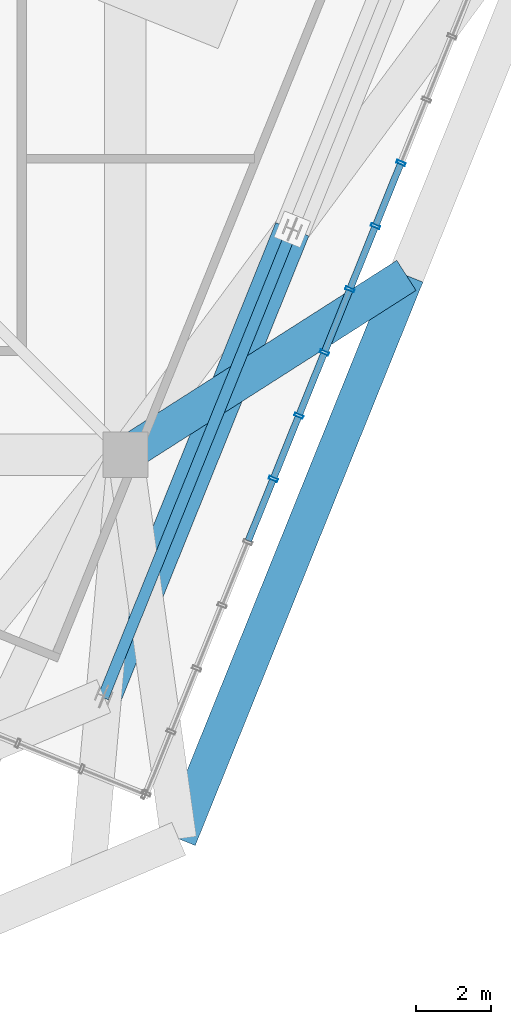
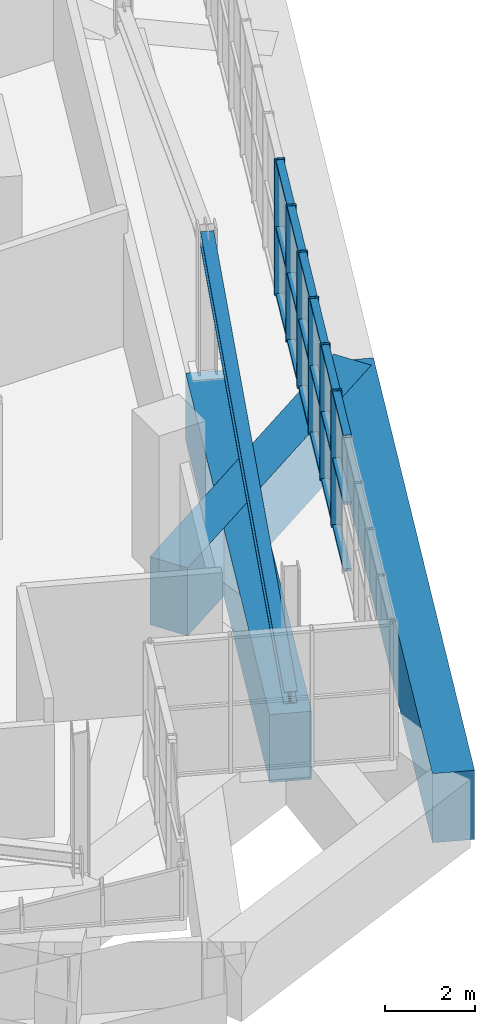
# One storey, part 14 of 35: 25 members, 3 beams, 1 element without a shape of its own.
"""IFC4 building model written with IfcOpenShell, lengths in metres."""

import ifcopenshell
import ifcopenshell.guid

model = None  # the IFC model being written
_history = None  # IfcOwnerHistory: only IFC2X3 demands one
_inside = {}  # id of a spatial element -> (the spatial element, [elements in it])
_under = {}  # id of a project, library or spatial element -> (it, [spatial elements below it])
_declared = {}  # id of a project -> (the project, [libraries it declares])
_typed = {}  # id of a type object -> (the type object, [elements of that type])
_made_of = {}  # id of a material, layer set ... -> (it, [elements and type objects made of it])


def new_model(schema):
    """Start an empty IFC model of exactly this schema.

    Asked for "IFC4X3", IfcOpenShell would pick the latest addendum, in which some entities
    have other attributes; the version numbers below select the first issue.
    IFC2X3 requires an IfcOwnerHistory on every rooted entity: one is made here for all.
    """
    global model, _history
    if schema == "IFC4X3":
        model = ifcopenshell.file(schema_version=(4, 3, 0, 0))
    else:
        model = ifcopenshell.file(schema=schema)
    _inside.clear()
    _under.clear()
    _declared.clear()
    _typed.clear()
    _made_of.clear()
    _history = None
    if model.schema == "IFC2X3":
        org = make("IfcOrganization", Name="unknown")
        user = make(
            "IfcPersonAndOrganization",
            ThePerson=make("IfcPerson", FamilyName="unknown"),
            TheOrganization=org,
        )
        app = make(
            "IfcApplication",
            ApplicationDeveloper=org,
            Version="unknown",
            ApplicationFullName="unknown",
            ApplicationIdentifier="unknown",
        )
        _history = make(
            "IfcOwnerHistory",
            OwningUser=user,
            OwningApplication=app,
            ChangeAction="ADDED",
            CreationDate=0,
        )
    return model


def make(cls, **values):
    """One entity of the class cls with the attributes given. An attribute that is None is left unset."""
    return model.create_entity(
        cls, **{name: value for name, value in values.items() if value is not None}
    )


def rooted(cls, **values):
    """An entity with a GlobalId (a new one), such as an element, a storey or a relation."""
    return make(cls, GlobalId=ifcopenshell.guid.new(), OwnerHistory=_history, **values)


def si_unit(unit_type, name, prefix=None):
    """IfcSIUnit, for example si_unit("LENGTHUNIT", "METRE", prefix="MILLI")."""
    return make("IfcSIUnit", UnitType=unit_type, Prefix=prefix, Name=name)


def assignment(units):
    """IfcUnitAssignment: the units of a project."""
    return None if units is None else make("IfcUnitAssignment", Units=units)


def point(xyz):
    """IfcCartesianPoint."""
    return None if xyz is None else make("IfcCartesianPoint", Coordinates=xyz)


def direction(xyz):
    """IfcDirection."""
    return None if xyz is None else make("IfcDirection", DirectionRatios=xyz)


def frame(location, z_axis=None, x_axis=None):
    """IfcAxis2Placement3D, a coordinate frame: its origin and axes. An axis left out is left unset."""
    return make(
        "IfcAxis2Placement3D",
        Location=point(location),
        Axis=direction(z_axis),
        RefDirection=direction(x_axis),
    )


def frame_2d(location, x_axis=None):
    """IfcAxis2Placement2D, a coordinate frame in the plane: its origin and x axis."""
    return make(
        "IfcAxis2Placement2D", Location=point(location), RefDirection=direction(x_axis)
    )


def origin():
    """The frame at (0, 0, 0) with its axes left unset."""
    return frame((0.0, 0.0, 0.0))


def origin_2d():
    """The frame at (0, 0) in the plane with its x axis left unset."""
    return frame_2d((0.0, 0.0))


def place(relative_to, where):
    """IfcLocalPlacement: puts the frame where relative to a parent placement (None: the world)."""
    return make(
        "IfcLocalPlacement", PlacementRelTo=relative_to, RelativePlacement=where
    )


def context(
    kind, dimensions, precision=None, world=None, true_north=None, identifier=None
):
    """IfcGeometricRepresentationContext, for example the 3D "Model" context."""
    return make(
        "IfcGeometricRepresentationContext",
        ContextIdentifier=identifier,
        ContextType=kind,
        CoordinateSpaceDimension=dimensions,
        Precision=precision,
        WorldCoordinateSystem=world,
        TrueNorth=true_north,
    )


def subcontext(parent, identifier, kind, view, scale=None):
    """IfcGeometricRepresentationSubContext, for example "Body" below "Model"."""
    return make(
        "IfcGeometricRepresentationSubContext",
        ContextIdentifier=identifier,
        ContextType=kind,
        ParentContext=parent,
        TargetScale=scale,
        TargetView=view,
    )


def project(units=None, contexts=None):
    """IfcProject with its units and contexts."""
    return rooted(
        "IfcProject",
        Name="project",
        RepresentationContexts=contexts,
        UnitsInContext=assignment(units),
    )


def spatial(cls, under=None, at=None, **own):
    """A site, building, storey or space (cls), placed at a placement, below another one or the project."""
    s = rooted(cls, ObjectPlacement=at, **own)
    if under is not None:
        _under.setdefault(under.id(), (under, []))[1].append(s)
    return s


def profile(cls, at=None, kind="AREA", **sizes):
    """A parametric profile (cls). Its sizes go by their IFC names, for example OverallWidth=200.0."""
    return make(cls, ProfileType=kind, Position=at, **sizes)


def rectangle(**sizes):
    """IfcRectangleProfileDef."""
    return profile("IfcRectangleProfileDef", **sizes)


def hollow_rectangle(**sizes):
    """IfcRectangleHollowProfileDef."""
    return profile("IfcRectangleHollowProfileDef", **sizes)


def i_section(**sizes):
    """IfcIShapeProfileDef."""
    return profile("IfcIShapeProfileDef", **sizes)


def extrude(swept, where, along, depth):
    """IfcExtrudedAreaSolid: the profile swept, set in the frame where, extruded along a direction by depth."""
    return make(
        "IfcExtrudedAreaSolid",
        SweptArea=swept,
        Position=where,
        ExtrudedDirection=direction(along),
        Depth=depth,
    )


def shape(context_of_items, identifier, shape_type, items):
    """IfcShapeRepresentation: the items that make up one representation, for example the "Body"."""
    return make(
        "IfcShapeRepresentation",
        ContextOfItems=context_of_items,
        RepresentationIdentifier=identifier,
        RepresentationType=shape_type,
        Items=items,
    )


def source(mapping_origin, context_of_items, identifier, shape_type, items):
    """IfcRepresentationMap: a shape defined once, which mapped items show again and again."""
    return make(
        "IfcRepresentationMap",
        MappingOrigin=mapping_origin,
        MappedRepresentation=shape(context_of_items, identifier, shape_type, items),
    )


def transform(
    local_origin,
    x_axis=None,
    y_axis=None,
    z_axis=None,
    scale=None,
    scale2=None,
    scale3=None,
    uniform=True,
):
    """IfcCartesianTransformationOperator3D, or its non-uniform kind. x_axis, y_axis, z_axis: its Axis1, 2, 3."""
    if uniform:
        return make(
            "IfcCartesianTransformationOperator3D",
            Axis1=direction(x_axis),
            Axis2=direction(y_axis),
            LocalOrigin=point(local_origin),
            Scale=scale,
            Axis3=direction(z_axis),
        )
    return make(
        "IfcCartesianTransformationOperator3DnonUniform",
        Axis1=direction(x_axis),
        Axis2=direction(y_axis),
        LocalOrigin=point(local_origin),
        Scale=scale,
        Axis3=direction(z_axis),
        Scale2=scale2,
        Scale3=scale3,
    )


def mapped(mapping_source, mapping_target):
    """IfcMappedItem: shows the shape of a source again, moved by a transform."""
    return make(
        "IfcMappedItem", MappingSource=mapping_source, MappingTarget=mapping_target
    )


def material(Name=None, Category=None):
    """IfcMaterial."""
    return make("IfcMaterial", Name=Name, Category=Category)


def layer(
    of_material, thickness, ventilated=None, Name=None, Category=None, Priority=None
):
    """IfcMaterialLayer: one layer of a wall or slab, of a material (None: an air gap)."""
    return make(
        "IfcMaterialLayer",
        Material=of_material,
        LayerThickness=thickness,
        IsVentilated=ventilated,
        Name=Name,
        Category=Category,
        Priority=Priority,
    )


def layer_set(layers, Name=None):
    """IfcMaterialLayerSet."""
    return make("IfcMaterialLayerSet", MaterialLayers=layers, LayerSetName=Name)


def material_profile(
    of_material, cross_section, Name=None, Category=None, Priority=None
):
    """IfcMaterialProfile: a cross section and its material."""
    return make(
        "IfcMaterialProfile",
        Name=Name,
        Material=of_material,
        Profile=cross_section,
        Priority=Priority,
        Category=Category,
    )


def profile_set(profiles, Name=None, composite=None):
    """IfcMaterialProfileSet."""
    return make(
        "IfcMaterialProfileSet",
        Name=Name,
        MaterialProfiles=profiles,
        CompositeProfile=composite,
    )


def made_of(thing, what):
    """Note that an element or type object is made of a material, layer set ...; save() writes the relation."""
    if what is not None:
        _made_of.setdefault(what.id(), (what, []))[1].append(thing)
    return thing


def type_object(cls, material=None, **own):
    """A type object (cls), such as IfcWallType, which elements share."""
    return made_of(rooted(cls, **own), material)


def element(
    cls,
    number,
    at=None,
    inside=None,
    cuts=None,
    type_object=None,
    material=None,
    context=None,
    identifier="Body",
    shape_type=None,
    held_by="IfcProductDefinitionShape",
    body=None,
    shapes=None,
    **own,
):
    """One element of the class cls, such as IfcWall. Its Tag is "e" and its number.

    at: its placement. inside: the storey or other place that contains it. cuts: it is an
    opening in that element (IfcRelVoidsElement). A single representation is given by context,
    identifier, shape_type and body (its items); several are given by shapes. held_by: the class
    of the entity that holds the representations. save() writes the other relations.
    """
    e = rooted(cls, Tag="e%d" % number, ObjectPlacement=at, **own)
    if body is not None:
        shapes = [shape(context, identifier, shape_type, body)]
    if shapes is not None:
        e.Representation = make(held_by, Representations=shapes)
    if inside is not None:
        _inside.setdefault(inside.id(), (inside, []))[1].append(e)
    if cuts is not None:
        rooted(
            "IfcRelVoidsElement", RelatingBuildingElement=cuts, RelatedOpeningElement=e
        )
    if type_object is not None:
        _typed.setdefault(type_object.id(), (type_object, []))[1].append(e)
    return made_of(e, material)


def aggregate(whole, parts):
    """IfcRelAggregates: a whole, such as a stair, and the parts it consists of."""
    return rooted("IfcRelAggregates", RelatingObject=whole, RelatedObjects=parts)


def save(model, path):
    """Write the relations noted so far, then the file.

    IfcRelAggregates (storeys below a building ...), IfcRelContainedInSpatialStructure (elements
    in a storey), IfcRelDefinesByType, IfcRelAssociatesMaterial and IfcRelDeclares: one each for
    every whole, place, type object, material and project.
    """
    for whole, parts in _under.values():
        aggregate(whole, parts)
    for where, things in _inside.values():
        rooted(
            "IfcRelContainedInSpatialStructure",
            RelatedElements=things,
            RelatingStructure=where,
        )
    for kind, things in _typed.values():
        rooted("IfcRelDefinesByType", RelatedObjects=things, RelatingType=kind)
    for what, things in _made_of.values():
        rooted("IfcRelAssociatesMaterial", RelatedObjects=things, RelatingMaterial=what)
    for by, libraries in _declared.values():
        rooted("IfcRelDeclares", RelatingContext=by, RelatedDefinitions=libraries)
    model.write(path)


model = new_model("IFC4")

# Units and contexts
model_context = context("Model", 3, precision=1e-05, world=origin(), true_north=direction((0.0, 1.0)))
body_context = subcontext(model_context, "Body", "Model", "MODEL_VIEW")
ifc_project = project(units=[si_unit("LENGTHUNIT", "METRE"), si_unit("AREAUNIT", "SQUARE_METRE"), si_unit("VOLUMEUNIT", "CUBIC_METRE"), si_unit("PLANEANGLEUNIT", "RADIAN"), si_unit("MASSUNIT", "GRAM", prefix="KILO"), si_unit("THERMODYNAMICTEMPERATUREUNIT", "KELVIN")], contexts=[model_context])

# Site, building, storey
site_placement = place(None, origin())
site = spatial("IfcSite", under=ifc_project, at=site_placement, CompositionType="ELEMENT")
building_placement = place(site_placement, origin())
building = spatial("IfcBuilding", under=site, at=building_placement, Name="Kosmvard Interchange Tower", CompositionType="ELEMENT")
storey_placement = place(building_placement, frame((0.0, 0.0, 321.60009765625)))
storey = spatial("IfcBuildingStorey", under=building, at=storey_placement, Name="L79", CompositionType="ELEMENT", Elevation=321.60009765625)

# Beams
ifc_material_1 = material(Name="Concrete C60/75", Category="concrete")
ifc_material_profile_1 = material_profile(ifc_material_1, rectangle(XDim=0.949951171875, YDim=1.8798828125, at=origin_2d()), Name="TG 950x1880")
ifc_profile_set_1 = profile_set([ifc_material_profile_1], Name="Concrete C60/75")
beam_type_1 = type_object("IfcBeamType", Name="Upper Long-Span Transfer Girder 950x1880 C60/75", PredefinedType="USERDEFINED", material=ifc_profile_set_1)
shared_shape_1 = source(origin(), body_context, "Body", "SweptSolid", [
    extrude(rectangle(XDim=0.949951171875, YDim=1.8798828125, at=origin_2d()), origin(), (0.0, 0.0, 1.0), 16.175048828125),
])
beam_1_placement = place(storey_placement, frame((14.5009765625, -23.30419921875, -0.940185546875), z_axis=(0.374607540279, 0.927183472009, 0.0), x_axis=(-0.927183472009, 0.374607540279, 0.0)))
element("IfcBeam", 1, at=beam_1_placement, inside=storey, type_object=beam_type_1, Name="BM-L79-LR01", ObjectType="TRANSFER_GIRDER", PredefinedType="USERDEFINED", context=body_context, shape_type="MappedRepresentation", body=[
    mapped(shared_shape_1, transform((0.0, 0.0, 0.0), scale=1.0)),
])
ifc_material_profile_2 = material_profile(ifc_material_1, rectangle(XDim=0.949951171875, YDim=1.85009765625, at=origin_2d()), Name="TG 950x1850")
ifc_profile_set_2 = profile_set([ifc_material_profile_2], Name="Concrete C60/75")
beam_type_2 = type_object("IfcBeamType", Name="Upper Transfer Ring Girder 950x1850 C60/75", PredefinedType="USERDEFINED", material=ifc_profile_set_2)
shared_shape_2 = source(origin(), body_context, "Body", "SweptSolid", [
    extrude(rectangle(XDim=0.949951171875, YDim=1.85009765625, at=origin_2d()), origin(), (0.0, 0.0, 1.0), 8.873046875),
])
beam_2_placement = place(storey_placement, frame((13.0810546875, -13.0810546875, -0.925048828125), z_axis=(0.842912916934, 0.538050011119, 0.0), x_axis=(-0.538050011119, 0.842912916934, 0.0)))
element("IfcBeam", 2, at=beam_2_placement, inside=storey, type_object=beam_type_2, Name="BM-L79-LD02", ObjectType="TRANSFER_GIRDER", PredefinedType="USERDEFINED", context=body_context, shape_type="MappedRepresentation", body=[
    mapped(shared_shape_2, transform((0.0, 0.0, 0.0), scale=1.0)),
])
shared_shape_3 = source(origin(), body_context, "Body", "SweptSolid", [
    extrude(rectangle(XDim=0.949951171875, YDim=1.85009765625, at=origin_2d()), origin(), (0.0, 0.0, 1.0), 13.39990234375),
])
beam_3_placement = place(storey_placement, frame((12.504150390625, -19.50439453125, -0.925048828125), z_axis=(0.374592580972, 0.927189515839, 0.0), x_axis=(-0.927189515839, 0.374592580972, 0.0)))
element("IfcBeam", 3, at=beam_3_placement, inside=storey, type_object=beam_type_2, Name="BM-L79-PR01", ObjectType="TRANSFER_GIRDER", PredefinedType="USERDEFINED", context=body_context, shape_type="MappedRepresentation", body=[
    mapped(shared_shape_3, transform((0.0, 0.0, 0.0), scale=1.0)),
])

# Member
ifc_material_2 = material(Name="Steel S355", Category="steel")
ifc_material_profile_3 = material_profile(ifc_material_2, i_section(OverallWidth=0.300048828125, OverallDepth=0.39990234375, WebThickness=0.013427734375, FlangeThickness=0.02392578125, FilletRadius=0.027099609375, at=origin_2d()), Name="HEB 400")
ifc_profile_set_3 = profile_set([ifc_material_profile_3], Name="Steel S355")
member_type_1 = type_object("IfcMemberType", Name="Lantern Crown Diagrid Brace HEB 400 S355", PredefinedType="BRACE", material=ifc_profile_set_3)
shared_shape_4 = source(origin(), body_context, "Body", "SweptSolid", [
    extrude(i_section(OverallWidth=0.300048828125, OverallDepth=0.39990234375, WebThickness=0.013427734375, FlangeThickness=0.02392578125, FilletRadius=0.027099609375, at=origin_2d()), origin(), (0.0, 0.0, 1.0), 13.78369140625),
])
member_1_placement = place(storey_placement, frame((12.504150390625, -19.50439453125, 0.419921875), z_axis=(0.364162635972, 0.901373372792, 0.234332279859), x_axis=(-0.927189515839, 0.374592580972, 0.0)))
element("IfcMember", 4, at=member_1_placement, inside=storey, type_object=member_type_1, Name="L79 Crown Lantern Diagrid Brace S1", PredefinedType="BRACE", context=body_context, shape_type="MappedRepresentation", body=[
    mapped(shared_shape_4, transform((0.0, 0.0, 0.0), scale=1.0)),
])

# Curtain wall, members
ifc_material_3 = material(Name="Architectural anodised aluminium", Category="aluminium")
ifc_layer = layer(ifc_material_3, 0.25, Name="Architectural anodised aluminium")
ifc_layer_set = layer_set([ifc_layer], Name="Architectural anodised aluminium")
curtain_wall_type = type_object("IfcCurtainWallType", Name="CW-6 Illuminated Crown Lantern Curtain Wall", PredefinedType="NOTDEFINED", material=ifc_layer_set)
curtain_wall_placement = place(storey_placement, origin())
curtain_wall = element("IfcCurtainWall", 5, at=curtain_wall_placement, inside=storey, type_object=curtain_wall_type, Name="L79 Crown Lantern Glazing Face 01", PredefinedType="NOTDEFINED")
ifc_material_profile_4 = material_profile(ifc_material_3, hollow_rectangle(XDim=0.239990234375, YDim=0.080078125, WallThickness=0.006103515625, at=origin_2d()), Name="CWM 240x80x6")
ifc_profile_set_4 = profile_set([ifc_material_profile_4], Name="Architectural anodised aluminium")
member_type_2 = type_object("IfcMemberType", Name="Lantern & Observation CW Mullion 240x80 Aluminium", PredefinedType="MULLION", material=ifc_profile_set_4)
shared_shape_5 = source(origin(), body_context, "Body", "SweptSolid", [
    extrude(hollow_rectangle(XDim=0.239990234375, YDim=0.080078125, WallThickness=0.006103515625, at=origin_2d()), origin(), (0.0, 0.0, 1.0), 3.699951171875),
])
member_2_placement = place(storey_placement, frame((17.01806640625, -13.723876953125, 0.0), z_axis=(0.0, 0.0, 1.0), x_axis=(-0.927183858065, 0.374606584758, 0.0)))
member_2 = element("IfcMember", 6, at=member_2_placement, type_object=member_type_2, Name="CW-6 mullion 6", PredefinedType="MULLION", context=body_context, shape_type="MappedRepresentation", body=[
    mapped(shared_shape_5, transform((0.0, 0.0, 0.0), scale=1.0)),
])
member_3_placement = place(storey_placement, frame((17.69775390625, -12.041748046875, 0.0), z_axis=(0.0, 0.0, 1.0), x_axis=(-0.927183858065, 0.374606584758, 0.0)))
member_3 = element("IfcMember", 7, at=member_3_placement, type_object=member_type_2, Name="CW-6 mullion 7", PredefinedType="MULLION", context=body_context, shape_type="MappedRepresentation", body=[
    mapped(shared_shape_5, transform((0.0, 0.0, 0.0), scale=1.0)),
])
member_4_placement = place(storey_placement, frame((18.377197265625, -10.35986328125, 0.0), z_axis=(0.0, 0.0, 1.0), x_axis=(-0.927183858065, 0.374606584758, 0.0)))
member_4 = element("IfcMember", 8, at=member_4_placement, type_object=member_type_2, Name="CW-6 mullion 8", PredefinedType="MULLION", context=body_context, shape_type="MappedRepresentation", body=[
    mapped(shared_shape_5, transform((0.0, 0.0, 0.0), scale=1.0)),
])
member_5_placement = place(storey_placement, frame((19.056884765625, -8.677734375, 0.0), z_axis=(0.0, 0.0, 1.0), x_axis=(-0.927183858065, 0.374606584758, 0.0)))
member_5 = element("IfcMember", 9, at=member_5_placement, type_object=member_type_2, Name="CW-6 mullion 9", PredefinedType="MULLION", context=body_context, shape_type="MappedRepresentation", body=[
    mapped(shared_shape_5, transform((0.0, 0.0, 0.0), scale=1.0)),
])
member_6_placement = place(storey_placement, frame((19.736572265625, -6.995849609375, 0.0), z_axis=(0.0, 0.0, 1.0), x_axis=(-0.927183858065, 0.374606584758, 0.0)))
member_6 = element("IfcMember", 10, at=member_6_placement, type_object=member_type_2, Name="CW-6 mullion 10", PredefinedType="MULLION", context=body_context, shape_type="MappedRepresentation", body=[
    mapped(shared_shape_5, transform((0.0, 0.0, 0.0), scale=1.0)),
])
member_7_placement = place(storey_placement, frame((20.416015625, -5.313720703125, 0.0), z_axis=(0.0, 0.0, 1.0), x_axis=(-0.927183858065, 0.374606584758, 0.0)))
member_7 = element("IfcMember", 11, at=member_7_placement, type_object=member_type_2, Name="CW-6 mullion 11", PredefinedType="MULLION", context=body_context, shape_type="MappedRepresentation", body=[
    mapped(shared_shape_5, transform((0.0, 0.0, 0.0), scale=1.0)),
])
ifc_material_profile_5 = material_profile(ifc_material_3, hollow_rectangle(XDim=0.179931640625, YDim=0.070068359375, WallThickness=0.0048828125, at=origin_2d()), Name="CWT 180x70x5")
ifc_profile_set_5 = profile_set([ifc_material_profile_5], Name="Architectural anodised aluminium")
member_type_3 = type_object("IfcMemberType", Name="Heavy Lantern CW Transom 180x70 Aluminium", PredefinedType="USERDEFINED", material=ifc_profile_set_5)
shared_shape_6 = source(origin(), body_context, "Body", "SweptSolid", [
    extrude(hollow_rectangle(XDim=0.179931640625, YDim=0.070068359375, WallThickness=0.0048828125, at=origin_2d()), origin(), (0.0, 0.0, 1.0), 1.734130859375),
])
member_8_placement = place(storey_placement, frame((16.353515625, -15.368896484375, 0.034912109375), z_axis=(0.374616671924, 0.927179782522, 0.0), x_axis=(-0.927179782522, 0.374616671924, 0.0)))
member_8 = element("IfcMember", 12, at=member_8_placement, type_object=member_type_3, Name="CW-6 transom 5.1", ObjectType="TRANSOM", PredefinedType="USERDEFINED", context=body_context, shape_type="MappedRepresentation", body=[
    mapped(shared_shape_6, transform((0.0, 0.0, 0.0), scale=1.0)),
])
member_9_placement = place(storey_placement, frame((16.353515625, -15.368896484375, 1.849853515625), z_axis=(0.374616671924, 0.927179782522, 0.0), x_axis=(-0.927179782522, 0.374616671924, 0.0)))
member_9 = element("IfcMember", 13, at=member_9_placement, type_object=member_type_3, Name="CW-6 transom 5.2", ObjectType="TRANSOM", PredefinedType="USERDEFINED", context=body_context, shape_type="MappedRepresentation", body=[
    mapped(shared_shape_6, transform((0.0, 0.0, 0.0), scale=1.0)),
])
member_10_placement = place(storey_placement, frame((16.353515625, -15.368896484375, 3.664794921875), z_axis=(0.374616671924, 0.927179782522, 0.0), x_axis=(-0.927179782522, 0.374616671924, 0.0)))
member_10 = element("IfcMember", 14, at=member_10_placement, type_object=member_type_3, Name="CW-6 transom 5.3", ObjectType="TRANSOM", PredefinedType="USERDEFINED", context=body_context, shape_type="MappedRepresentation", body=[
    mapped(shared_shape_6, transform((0.0, 0.0, 0.0), scale=1.0)),
])
member_11_placement = place(storey_placement, frame((17.033203125, -13.686767578125, 0.034912109375), z_axis=(0.374616671924, 0.927179782522, 0.0), x_axis=(-0.927179782522, 0.374616671924, 0.0)))
member_11 = element("IfcMember", 15, at=member_11_placement, type_object=member_type_3, Name="CW-6 transom 6.1", ObjectType="TRANSOM", PredefinedType="USERDEFINED", context=body_context, shape_type="MappedRepresentation", body=[
    mapped(shared_shape_6, transform((0.0, 0.0, 0.0), scale=1.0)),
])
member_12_placement = place(storey_placement, frame((17.033203125, -13.686767578125, 1.849853515625), z_axis=(0.374616671924, 0.927179782522, 0.0), x_axis=(-0.927179782522, 0.374616671924, 0.0)))
member_12 = element("IfcMember", 16, at=member_12_placement, type_object=member_type_3, Name="CW-6 transom 6.2", ObjectType="TRANSOM", PredefinedType="USERDEFINED", context=body_context, shape_type="MappedRepresentation", body=[
    mapped(shared_shape_6, transform((0.0, 0.0, 0.0), scale=1.0)),
])
member_13_placement = place(storey_placement, frame((17.033203125, -13.686767578125, 3.664794921875), z_axis=(0.374616671924, 0.927179782522, 0.0), x_axis=(-0.927179782522, 0.374616671924, 0.0)))
member_13 = element("IfcMember", 17, at=member_13_placement, type_object=member_type_3, Name="CW-6 transom 6.3", ObjectType="TRANSOM", PredefinedType="USERDEFINED", context=body_context, shape_type="MappedRepresentation", body=[
    mapped(shared_shape_6, transform((0.0, 0.0, 0.0), scale=1.0)),
])
member_14_placement = place(storey_placement, frame((18.392333984375, -10.32275390625, 0.034912109375), z_axis=(0.374616671924, 0.927179782522, 0.0), x_axis=(-0.927179782522, 0.374616671924, 0.0)))
member_14 = element("IfcMember", 18, at=member_14_placement, type_object=member_type_3, Name="CW-6 transom 8.1", ObjectType="TRANSOM", PredefinedType="USERDEFINED", context=body_context, shape_type="MappedRepresentation", body=[
    mapped(shared_shape_6, transform((0.0, 0.0, 0.0), scale=1.0)),
])
member_15_placement = place(storey_placement, frame((18.392333984375, -10.32275390625, 1.849853515625), z_axis=(0.374616671924, 0.927179782522, 0.0), x_axis=(-0.927179782522, 0.374616671924, 0.0)))
member_15 = element("IfcMember", 19, at=member_15_placement, type_object=member_type_3, Name="CW-6 transom 8.2", ObjectType="TRANSOM", PredefinedType="USERDEFINED", context=body_context, shape_type="MappedRepresentation", body=[
    mapped(shared_shape_6, transform((0.0, 0.0, 0.0), scale=1.0)),
])
member_16_placement = place(storey_placement, frame((18.392333984375, -10.32275390625, 3.664794921875), z_axis=(0.374616671924, 0.927179782522, 0.0), x_axis=(-0.927179782522, 0.374616671924, 0.0)))
member_16 = element("IfcMember", 20, at=member_16_placement, type_object=member_type_3, Name="CW-6 transom 8.3", ObjectType="TRANSOM", PredefinedType="USERDEFINED", context=body_context, shape_type="MappedRepresentation", body=[
    mapped(shared_shape_6, transform((0.0, 0.0, 0.0), scale=1.0)),
])
member_17_placement = place(storey_placement, frame((19.75146484375, -6.958740234375, 0.034912109375), z_axis=(0.374616671924, 0.927179782522, 0.0), x_axis=(-0.927179782522, 0.374616671924, 0.0)))
member_17 = element("IfcMember", 21, at=member_17_placement, type_object=member_type_3, Name="CW-6 transom 10.1", ObjectType="TRANSOM", PredefinedType="USERDEFINED", context=body_context, shape_type="MappedRepresentation", body=[
    mapped(shared_shape_6, transform((0.0, 0.0, 0.0), scale=1.0)),
])
member_18_placement = place(storey_placement, frame((19.75146484375, -6.958740234375, 1.849853515625), z_axis=(0.374616671924, 0.927179782522, 0.0), x_axis=(-0.927179782522, 0.374616671924, 0.0)))
member_18 = element("IfcMember", 22, at=member_18_placement, type_object=member_type_3, Name="CW-6 transom 10.2", ObjectType="TRANSOM", PredefinedType="USERDEFINED", context=body_context, shape_type="MappedRepresentation", body=[
    mapped(shared_shape_6, transform((0.0, 0.0, 0.0), scale=1.0)),
])
member_19_placement = place(storey_placement, frame((19.75146484375, -6.958740234375, 3.664794921875), z_axis=(0.374616671924, 0.927179782522, 0.0), x_axis=(-0.927179782522, 0.374616671924, 0.0)))
member_19 = element("IfcMember", 23, at=member_19_placement, type_object=member_type_3, Name="CW-6 transom 10.3", ObjectType="TRANSOM", PredefinedType="USERDEFINED", context=body_context, shape_type="MappedRepresentation", body=[
    mapped(shared_shape_6, transform((0.0, 0.0, 0.0), scale=1.0)),
])
shared_shape_7 = source(origin(), body_context, "Body", "SweptSolid", [
    extrude(hollow_rectangle(XDim=0.179931640625, YDim=0.070068359375, WallThickness=0.0048828125, at=origin_2d()), origin(), (0.0, 0.0, 1.0), 1.73388671875),
])
member_20_placement = place(storey_placement, frame((17.712646484375, -12.004638671875, 0.034912109375), z_axis=(0.374665576032, 0.927160021861, 0.0), x_axis=(-0.927160021861, 0.374665576032, 0.0)))
member_20 = element("IfcMember", 24, at=member_20_placement, type_object=member_type_3, Name="CW-6 transom 7.1", ObjectType="TRANSOM", PredefinedType="USERDEFINED", context=body_context, shape_type="MappedRepresentation", body=[
    mapped(shared_shape_7, transform((0.0, 0.0, 0.0), scale=1.0)),
])
member_21_placement = place(storey_placement, frame((17.712646484375, -12.004638671875, 1.849853515625), z_axis=(0.374665576032, 0.927160021861, 0.0), x_axis=(-0.927160021861, 0.374665576032, 0.0)))
member_21 = element("IfcMember", 25, at=member_21_placement, type_object=member_type_3, Name="CW-6 transom 7.2", ObjectType="TRANSOM", PredefinedType="USERDEFINED", context=body_context, shape_type="MappedRepresentation", body=[
    mapped(shared_shape_7, transform((0.0, 0.0, 0.0), scale=1.0)),
])
member_22_placement = place(storey_placement, frame((17.712646484375, -12.004638671875, 3.664794921875), z_axis=(0.374665576032, 0.927160021861, 0.0), x_axis=(-0.927160021861, 0.374665576032, 0.0)))
member_22 = element("IfcMember", 26, at=member_22_placement, type_object=member_type_3, Name="CW-6 transom 7.3", ObjectType="TRANSOM", PredefinedType="USERDEFINED", context=body_context, shape_type="MappedRepresentation", body=[
    mapped(shared_shape_7, transform((0.0, 0.0, 0.0), scale=1.0)),
])
member_23_placement = place(storey_placement, frame((19.07177734375, -8.640625, 0.034912109375), z_axis=(0.374665576032, 0.927160021861, 0.0), x_axis=(-0.927160021861, 0.374665576032, 0.0)))
member_23 = element("IfcMember", 27, at=member_23_placement, type_object=member_type_3, Name="CW-6 transom 9.1", ObjectType="TRANSOM", PredefinedType="USERDEFINED", context=body_context, shape_type="MappedRepresentation", body=[
    mapped(shared_shape_7, transform((0.0, 0.0, 0.0), scale=1.0)),
])
member_24_placement = place(storey_placement, frame((19.07177734375, -8.640625, 1.849853515625), z_axis=(0.374665576032, 0.927160021861, 0.0), x_axis=(-0.927160021861, 0.374665576032, 0.0)))
member_24 = element("IfcMember", 28, at=member_24_placement, type_object=member_type_3, Name="CW-6 transom 9.2", ObjectType="TRANSOM", PredefinedType="USERDEFINED", context=body_context, shape_type="MappedRepresentation", body=[
    mapped(shared_shape_7, transform((0.0, 0.0, 0.0), scale=1.0)),
])
member_25_placement = place(storey_placement, frame((19.07177734375, -8.640625, 3.664794921875), z_axis=(0.374665576032, 0.927160021861, 0.0), x_axis=(-0.927160021861, 0.374665576032, 0.0)))
member_25 = element("IfcMember", 29, at=member_25_placement, type_object=member_type_3, Name="CW-6 transom 9.3", ObjectType="TRANSOM", PredefinedType="USERDEFINED", context=body_context, shape_type="MappedRepresentation", body=[
    mapped(shared_shape_7, transform((0.0, 0.0, 0.0), scale=1.0)),
])
aggregate(curtain_wall, [member_2, member_3, member_4, member_5, member_6, member_7, member_8, member_9, member_10, member_11, member_12, member_13, member_20, member_21, member_22, member_14, member_15, member_16, member_23, member_24, member_25, member_17, member_18, member_19])

save(model, "model.ifc")
